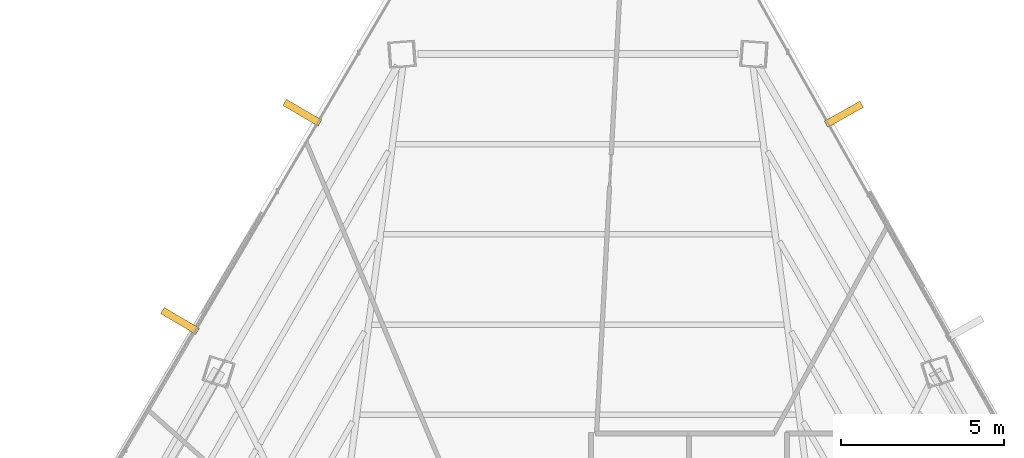
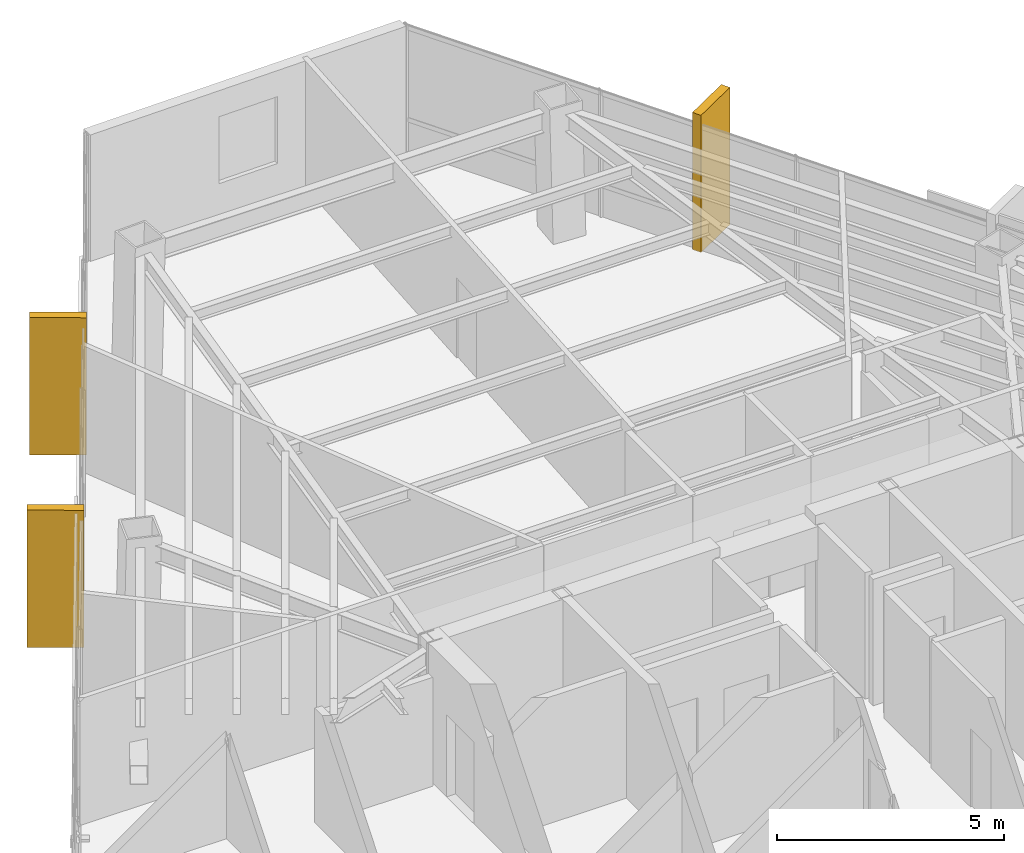
# One storey, part 42 of 42: 3 coverings.
"""IFC4 building model written with IfcOpenShell, lengths in metres."""

from ifc_helpers import new_model, si_unit, direction, frame, origin, origin_2d, place, context, subcontext, project, spatial, rectangle, extrude, source, transform, mapped, material, layer, layer_set, type_object, type_shapes, element, save


model = new_model("IFC4")

# Units and contexts
model_context = context("Model", 3, precision=1e-05, world=origin(), true_north=direction((0.0, 1.0)))
body_context = subcontext(model_context, "Body", "Model", "MODEL_VIEW")
ifc_project = project(units=[si_unit("LENGTHUNIT", "METRE"), si_unit("AREAUNIT", "SQUARE_METRE"), si_unit("VOLUMEUNIT", "CUBIC_METRE"), si_unit("PLANEANGLEUNIT", "RADIAN"), si_unit("MASSUNIT", "GRAM", prefix="KILO")], contexts=[model_context])

# Site, building, storey
site_placement = place(None, origin())
site = spatial("IfcSite", under=ifc_project, at=site_placement, CompositionType="ELEMENT")
building_placement = place(site_placement, origin())
building = spatial("IfcBuilding", under=site, at=building_placement, Name="Caelisora Broadcast Tower", CompositionType="ELEMENT")
storey_placement = place(building_placement, frame((0.0, 0.0, 191.35009765625)))
storey = spatial("IfcBuildingStorey", under=building, at=storey_placement, Name="L50", CompositionType="ELEMENT", Elevation=191.35009765625)

# Coverings
ifc_material = material(Name="Kiln-Fired Terracotta Spandrel Rainscreen Cladding", Category="ceramic")
ifc_layer = layer(ifc_material, 0.044921875, Name="Kiln-Fired Terracotta Spandrel Rainscreen Cladding")
ifc_layer_set = layer_set([ifc_layer], Name="Kiln-Fired Terracotta Spandrel Rainscreen Cladding")
covering_type = type_object("IfcCoveringType", Name="CL-1", PredefinedType="CLADDING", material=ifc_layer_set)
shared_shape = source(origin(), body_context, "Body", "SweptSolid", [
    extrude(rectangle(XDim=0.219970703125, YDim=1.25, at=origin_2d()), origin(), (0.0, 0.0, 1.0), 3.68994140625),
])
type_shapes(covering_type, [shared_shape])
for number, where, z_axis, x_axis, name in (
    (1, (46.142333984375, 44.723388671875, -0.02001953125), (0.0, 0.0, 1.0), (0.491055801632, -0.871128118983, 0.0), "L50 vertical solar fin cladding #1-1"),
    (2, (25.816650390625, 38.39599609375, -0.02001953125), (0.0, 0.0, 1.0), (0.506334807353, 0.862336977557, 0.0), "L50 vertical solar fin cladding #3-3"),
    (3, (29.559814453125, 44.771240234375, -0.02001953125), (0.0, 0.0, 1.0), (0.506334807353, 0.862336977557, 0.0), "L50 vertical solar fin cladding #3-4"),
):
    element("IfcCovering", number, at=place(storey_placement, frame(where, z_axis=z_axis, x_axis=x_axis)), inside=storey, type_object=covering_type, Name=name, PredefinedType="CLADDING", context=body_context, shape_type="MappedRepresentation", body=[
        mapped(shared_shape, transform((0.0, 0.0, 0.0), scale=1.0)),
    ])

save(model, "model.ifc")
